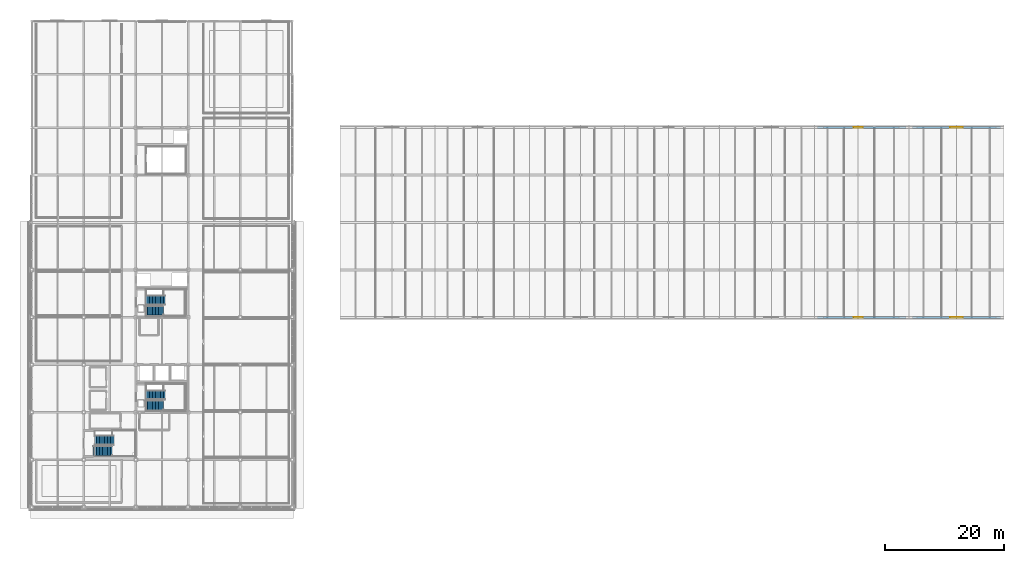
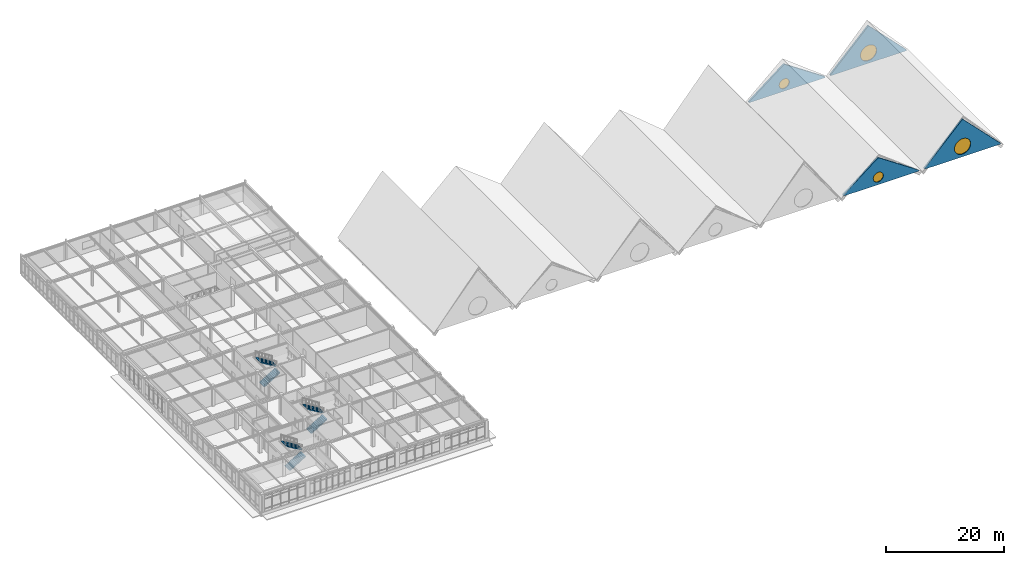
# One storey, part 58 of 64: 6 stair flights, 4 walls, 4 windows, 4 openings, 3 elements without a shape of their own.
"""IFC4 building model written with IfcOpenShell, lengths in metres."""

from ifc_helpers import new_model, si_unit, direction, frame, origin, place, context, subcontext, project, spatial, polyline, outline, extrude, material, layer, layer_set, type_object, element, fill, aggregate, save


model = new_model("IFC4")

# Units and contexts
model_context = context("Model", 3, precision=1e-05, world=origin(), true_north=direction((0.0, 1.0)))
body_context = subcontext(model_context, "Body", "Model", "MODEL_VIEW")
ifc_project = project(units=[si_unit("LENGTHUNIT", "METRE"), si_unit("AREAUNIT", "SQUARE_METRE"), si_unit("VOLUMEUNIT", "CUBIC_METRE"), si_unit("PLANEANGLEUNIT", "RADIAN"), si_unit("MASSUNIT", "GRAM", prefix="KILO")], contexts=[model_context])

# Site, building, storey
site_placement = place(None, origin())
site = spatial("IfcSite", under=ifc_project, at=site_placement, CompositionType="ELEMENT")
building_placement = place(site_placement, origin())
building = spatial("IfcBuilding", under=site, at=building_placement, Name="Zhaolan Boulevard Law Courts", CompositionType="ELEMENT")
storey_placement = place(building_placement, frame((0.0, 0.0, 20.39990234375)))
storey = spatial("IfcBuildingStorey", under=building, at=storey_placement, Name="L04", CompositionType="ELEMENT", Elevation=20.39990234375)

# Wall, opening, window
ifc_material_1 = material(Name="Concrete C40", Category="concrete")
ifc_layer = layer(ifc_material_1, 0.340087890625)
ifc_layer_set = layer_set([ifc_layer])
wall_type = type_object("IfcWallType", Name="EXT WALL GABLE340", PredefinedType="SOLIDWALL", material=ifc_layer_set)
wall_1_placement = place(storey_placement, frame((132.550048828125, 62.0, 0.22021484375), z_axis=(0.0, 0.0, 1.0), x_axis=(1.0, 0.0, 0.0)))
wall_1 = element("IfcWall", 1, at=wall_1_placement, inside=storey, type_object=wall_type, Name="Sculpted Concrete Gable Wall GW-T6S", PredefinedType="SOLIDWALL", context=body_context, shape_type="SweptSolid", body=[
    extrude(outline(polyline([(0.0, 0.0), (14.89990234375, 0.0), (14.89990234375, 0.199951171875), (6.89111328125, 5.599853515625), (0.0, 0.199951171875), (0.0, 0.0)])), frame((0.0, 0.169921875, 0.0), z_axis=(0.0, -1.0, 0.0), x_axis=(1.0, 0.0, 0.0)), (0.0, 0.0, 1.0), 0.340087890625),
])
opening_1_placement = place(wall_1_placement, frame((5.89111328125, 0.0, 0.550048828125)))
opening_1 = element("IfcOpeningElement", 2, at=opening_1_placement, cuts=wall_1, Name="Opening OC-T6S", PredefinedType="OPENING", context=body_context, shape_type="SweptSolid", body=[
    extrude(outline(polyline([(2.0, 1.0), (1.98486328125, 1.173583984375), (1.939697265625, 1.342041015625), (1.865966796875, 1.5), (1.76611328125, 1.642822265625), (1.642822265625, 1.76611328125), (1.5, 1.865966796875), (1.342041015625, 1.939697265625), (1.173583984375, 1.98486328125), (1.0, 2.0), (0.826416015625, 1.98486328125), (0.657958984375, 1.939697265625), (0.5, 1.865966796875), (0.357177734375, 1.76611328125), (0.23388671875, 1.642822265625), (0.134033203125, 1.5), (0.060302734375, 1.342041015625), (0.01513671875, 1.173583984375), (0.0, 1.0), (0.01513671875, 0.826416015625), (0.060302734375, 0.657958984375), (0.134033203125, 0.5), (0.23388671875, 0.357177734375), (0.357177734375, 0.23388671875), (0.5, 0.134033203125), (0.657958984375, 0.060302734375), (0.826416015625, 0.01513671875), (1.0, 0.0), (1.173583984375, 0.01513671875), (1.342041015625, 0.060302734375), (1.5, 0.134033203125), (1.642822265625, 0.23388671875), (1.76611328125, 0.357177734375), (1.865966796875, 0.5), (1.939697265625, 0.657958984375), (1.98486328125, 0.826416015625), (2.0, 1.0)])), frame((0.0, 0.179931640625, 0.0), z_axis=(0.0, -1.0, 0.0), x_axis=(1.0, 0.0, 0.0)), (0.0, 0.0, 1.0), 0.360107421875),
])
ifc_material_2 = material(Name="Thermally broken aluminium and laminated low-E glass", Category="aluminium")
window_type_1 = type_object("IfcWindowType", Name="OCULUS WINDOW D2000", PartitioningType="SINGLE_PANEL", PredefinedType="WINDOW", material=ifc_material_2)
window_1_placement = place(opening_1_placement, origin())
window_1 = element("IfcWindow", 3, at=window_1_placement, inside=storey, type_object=window_type_1, Name="Circular Gable Oculus Window OC-T6S", OverallHeight=2.0, OverallWidth=2.0, PartitioningType="SINGLE_PANEL", PredefinedType="WINDOW", context=body_context, shape_type="SweptSolid", body=[
    extrude(outline(polyline([(2.0, 1.0), (1.98486328125, 1.173583984375), (1.939697265625, 1.342041015625), (1.865966796875, 1.5), (1.76611328125, 1.642822265625), (1.642822265625, 1.76611328125), (1.5, 1.865966796875), (1.342041015625, 1.939697265625), (1.173583984375, 1.98486328125), (1.0, 2.0), (0.826416015625, 1.98486328125), (0.657958984375, 1.939697265625), (0.5, 1.865966796875), (0.357177734375, 1.76611328125), (0.23388671875, 1.642822265625), (0.134033203125, 1.5), (0.060302734375, 1.342041015625), (0.01513671875, 1.173583984375), (0.0, 1.0), (0.01513671875, 0.826416015625), (0.060302734375, 0.657958984375), (0.134033203125, 0.5), (0.23388671875, 0.357177734375), (0.357177734375, 0.23388671875), (0.5, 0.134033203125), (0.657958984375, 0.060302734375), (0.826416015625, 0.01513671875), (1.0, 0.0), (1.173583984375, 0.01513671875), (1.342041015625, 0.060302734375), (1.5, 0.134033203125), (1.642822265625, 0.23388671875), (1.76611328125, 0.357177734375), (1.865966796875, 0.5), (1.939697265625, 0.657958984375), (1.98486328125, 0.826416015625), (2.0, 1.0)])), frame((0.0, 0.0400390625, 0.0), z_axis=(0.0, -1.0, 0.0), x_axis=(1.0, 0.0, 0.0)), (0.0, 0.0, 1.0), 0.080078125),
])
fill(opening_1, window_1)

wall_2_placement = place(storey_placement, frame((147.449951171875, 94.0, 0.22021484375), z_axis=(0.0, 0.0, 1.0), x_axis=(-1.0, 0.0, 0.0)))
wall_2 = element("IfcWall", 4, at=wall_2_placement, inside=storey, type_object=wall_type, Name="Sculpted Concrete Gable Wall GW-T6N", PredefinedType="SOLIDWALL", context=body_context, shape_type="SweptSolid", body=[
    extrude(outline(polyline([(0.0, 0.0), (14.89990234375, 0.0), (14.89990234375, 0.199951171875), (8.009033203125, 5.599853515625), (0.0, 0.199951171875), (0.0, 0.0)])), frame((0.0, 0.169921875, 0.0), z_axis=(0.0, -1.0, 0.0), x_axis=(1.0, 0.0, 0.0)), (0.0, 0.0, 1.0), 0.340087890625),
])
opening_2_placement = place(wall_2_placement, frame((7.009033203125, 0.0, 0.550048828125)))
opening_2 = element("IfcOpeningElement", 5, at=opening_2_placement, cuts=wall_2, Name="Opening OC-T6N", PredefinedType="OPENING", context=body_context, shape_type="SweptSolid", body=[
    extrude(outline(polyline([(2.0, 1.0), (1.98486328125, 1.173583984375), (1.939697265625, 1.342041015625), (1.865966796875, 1.5), (1.76611328125, 1.642822265625), (1.642822265625, 1.76611328125), (1.5, 1.865966796875), (1.342041015625, 1.939697265625), (1.173583984375, 1.98486328125), (1.0, 2.0), (0.826416015625, 1.98486328125), (0.657958984375, 1.939697265625), (0.5, 1.865966796875), (0.357177734375, 1.76611328125), (0.23388671875, 1.642822265625), (0.134033203125, 1.5), (0.060302734375, 1.342041015625), (0.01513671875, 1.173583984375), (0.0, 1.0), (0.01513671875, 0.826416015625), (0.060302734375, 0.657958984375), (0.134033203125, 0.5), (0.23388671875, 0.357177734375), (0.357177734375, 0.23388671875), (0.5, 0.134033203125), (0.657958984375, 0.060302734375), (0.826416015625, 0.01513671875), (1.0, 0.0), (1.173583984375, 0.01513671875), (1.342041015625, 0.060302734375), (1.5, 0.134033203125), (1.642822265625, 0.23388671875), (1.76611328125, 0.357177734375), (1.865966796875, 0.5), (1.939697265625, 0.657958984375), (1.98486328125, 0.826416015625), (2.0, 1.0)])), frame((0.0, 0.179931640625, 0.0), z_axis=(0.0, -1.0, 0.0), x_axis=(1.0, 0.0, 0.0)), (0.0, 0.0, 1.0), 0.360107421875),
])
window_2_placement = place(opening_2_placement, origin())
window_2 = element("IfcWindow", 6, at=window_2_placement, inside=storey, type_object=window_type_1, Name="Circular Gable Oculus Window OC-T6N", OverallHeight=2.0, OverallWidth=2.0, PartitioningType="SINGLE_PANEL", PredefinedType="WINDOW", context=body_context, shape_type="SweptSolid", body=[
    extrude(outline(polyline([(2.0, 1.0), (1.98486328125, 1.173583984375), (1.939697265625, 1.342041015625), (1.865966796875, 1.5), (1.76611328125, 1.642822265625), (1.642822265625, 1.76611328125), (1.5, 1.865966796875), (1.342041015625, 1.939697265625), (1.173583984375, 1.98486328125), (1.0, 2.0), (0.826416015625, 1.98486328125), (0.657958984375, 1.939697265625), (0.5, 1.865966796875), (0.357177734375, 1.76611328125), (0.23388671875, 1.642822265625), (0.134033203125, 1.5), (0.060302734375, 1.342041015625), (0.01513671875, 1.173583984375), (0.0, 1.0), (0.01513671875, 0.826416015625), (0.060302734375, 0.657958984375), (0.134033203125, 0.5), (0.23388671875, 0.357177734375), (0.357177734375, 0.23388671875), (0.5, 0.134033203125), (0.657958984375, 0.060302734375), (0.826416015625, 0.01513671875), (1.0, 0.0), (1.173583984375, 0.01513671875), (1.342041015625, 0.060302734375), (1.5, 0.134033203125), (1.642822265625, 0.23388671875), (1.76611328125, 0.357177734375), (1.865966796875, 0.5), (1.939697265625, 0.657958984375), (1.98486328125, 0.826416015625), (2.0, 1.0)])), frame((0.0, 0.0400390625, 0.0), z_axis=(0.0, -1.0, 0.0), x_axis=(1.0, 0.0, 0.0)), (0.0, 0.0, 1.0), 0.080078125),
])
fill(opening_2, window_2)

wall_3_placement = place(storey_placement, frame((148.550048828125, 62.0, 0.22021484375), z_axis=(0.0, 0.0, 1.0), x_axis=(1.0, 0.0, 0.0)))
wall_3 = element("IfcWall", 7, at=wall_3_placement, inside=storey, type_object=wall_type, Name="Sculpted Concrete Gable Wall GW-T7S", PredefinedType="SOLIDWALL", context=body_context, shape_type="SweptSolid", body=[
    extrude(outline(polyline([(0.0, 0.0), (14.89990234375, 0.0), (14.89990234375, 0.199951171875), (7.449951171875, 7.7998046875), (0.0, 0.199951171875), (0.0, 0.0)])), frame((0.0, 0.169921875, 0.0), z_axis=(0.0, -1.0, 0.0), x_axis=(1.0, 0.0, 0.0)), (0.0, 0.0, 1.0), 0.340087890625),
])
opening_3_placement = place(wall_3_placement, frame((5.85009765625, 0.0, 0.550048828125)))
opening_3 = element("IfcOpeningElement", 8, at=opening_3_placement, cuts=wall_3, Name="Opening OC-T7S", PredefinedType="OPENING", context=body_context, shape_type="SweptSolid", body=[
    extrude(outline(polyline([(3.199951171875, 1.60009765625), (3.17578125, 1.8779296875), (3.103515625, 2.147216796875), (2.985595703125, 2.39990234375), (2.82568359375, 2.62841796875), (2.62841796875, 2.82568359375), (2.39990234375, 2.985595703125), (2.147216796875, 3.103515625), (1.8779296875, 3.17578125), (1.60009765625, 3.199951171875), (1.322265625, 3.17578125), (1.052734375, 3.103515625), (0.800048828125, 2.985595703125), (0.571533203125, 2.82568359375), (0.374267578125, 2.62841796875), (0.21435546875, 2.39990234375), (0.096435546875, 2.147216796875), (0.0244140625, 1.8779296875), (0.0, 1.60009765625), (0.0244140625, 1.322265625), (0.096435546875, 1.052734375), (0.21435546875, 0.800048828125), (0.374267578125, 0.571533203125), (0.571533203125, 0.374267578125), (0.800048828125, 0.21435546875), (1.052734375, 0.096435546875), (1.322265625, 0.0244140625), (1.60009765625, 0.0), (1.8779296875, 0.0244140625), (2.147216796875, 0.096435546875), (2.39990234375, 0.21435546875), (2.62841796875, 0.374267578125), (2.82568359375, 0.571533203125), (2.985595703125, 0.800048828125), (3.103515625, 1.052734375), (3.17578125, 1.322265625), (3.199951171875, 1.60009765625)])), frame((0.0, 0.179931640625, 0.0), z_axis=(0.0, -1.0, 0.0), x_axis=(1.0, 0.0, 0.0)), (0.0, 0.0, 1.0), 0.360107421875),
])
ifc_material_3 = material(Name="Thermally broken aluminium and laminated low-E glass", Category="aluminium")
window_type_2 = type_object("IfcWindowType", Name="OCULUS WINDOW D3200", PartitioningType="SINGLE_PANEL", PredefinedType="WINDOW", material=ifc_material_3)
window_3_placement = place(opening_3_placement, origin())
window_3 = element("IfcWindow", 9, at=window_3_placement, inside=storey, type_object=window_type_2, Name="Circular Gable Oculus Window OC-T7S", OverallHeight=3.199951171875, OverallWidth=3.199951171875, PartitioningType="SINGLE_PANEL", PredefinedType="WINDOW", context=body_context, shape_type="SweptSolid", body=[
    extrude(outline(polyline([(3.199951171875, 1.60009765625), (3.17578125, 1.8779296875), (3.103515625, 2.147216796875), (2.985595703125, 2.39990234375), (2.82568359375, 2.62841796875), (2.62841796875, 2.82568359375), (2.39990234375, 2.985595703125), (2.147216796875, 3.103515625), (1.8779296875, 3.17578125), (1.60009765625, 3.199951171875), (1.322265625, 3.17578125), (1.052734375, 3.103515625), (0.800048828125, 2.985595703125), (0.571533203125, 2.82568359375), (0.374267578125, 2.62841796875), (0.21435546875, 2.39990234375), (0.096435546875, 2.147216796875), (0.0244140625, 1.8779296875), (0.0, 1.60009765625), (0.0244140625, 1.322265625), (0.096435546875, 1.052734375), (0.21435546875, 0.800048828125), (0.374267578125, 0.571533203125), (0.571533203125, 0.374267578125), (0.800048828125, 0.21435546875), (1.052734375, 0.096435546875), (1.322265625, 0.0244140625), (1.60009765625, 0.0), (1.8779296875, 0.0244140625), (2.147216796875, 0.096435546875), (2.39990234375, 0.21435546875), (2.62841796875, 0.374267578125), (2.82568359375, 0.571533203125), (2.985595703125, 0.800048828125), (3.103515625, 1.052734375), (3.17578125, 1.322265625), (3.199951171875, 1.60009765625)])), frame((0.0, 0.0400390625, 0.0), z_axis=(0.0, -1.0, 0.0), x_axis=(1.0, 0.0, 0.0)), (0.0, 0.0, 1.0), 0.080078125),
])
fill(opening_3, window_3)

wall_4_placement = place(storey_placement, frame((163.449951171875, 94.0, 0.22021484375), z_axis=(0.0, 0.0, 1.0), x_axis=(-1.0, 0.0, 0.0)))
wall_4 = element("IfcWall", 10, at=wall_4_placement, inside=storey, type_object=wall_type, Name="Sculpted Concrete Gable Wall GW-T7N", PredefinedType="SOLIDWALL", context=body_context, shape_type="SweptSolid", body=[
    extrude(outline(polyline([(0.0, 0.0), (14.89990234375, 0.0), (14.89990234375, 0.199951171875), (7.449951171875, 7.7998046875), (0.0, 0.199951171875), (0.0, 0.0)])), frame((0.0, 0.169921875, 0.0), z_axis=(0.0, -1.0, 0.0), x_axis=(1.0, 0.0, 0.0)), (0.0, 0.0, 1.0), 0.340087890625),
])
opening_4_placement = place(wall_4_placement, frame((5.85009765625, 0.0, 0.550048828125)))
opening_4 = element("IfcOpeningElement", 11, at=opening_4_placement, cuts=wall_4, Name="Opening OC-T7N", PredefinedType="OPENING", context=body_context, shape_type="SweptSolid", body=[
    extrude(outline(polyline([(3.199951171875, 1.60009765625), (3.17578125, 1.8779296875), (3.103515625, 2.147216796875), (2.985595703125, 2.39990234375), (2.82568359375, 2.62841796875), (2.62841796875, 2.82568359375), (2.39990234375, 2.985595703125), (2.147216796875, 3.103515625), (1.8779296875, 3.17578125), (1.60009765625, 3.199951171875), (1.322265625, 3.17578125), (1.052734375, 3.103515625), (0.800048828125, 2.985595703125), (0.571533203125, 2.82568359375), (0.374267578125, 2.62841796875), (0.21435546875, 2.39990234375), (0.096435546875, 2.147216796875), (0.0244140625, 1.8779296875), (0.0, 1.60009765625), (0.0244140625, 1.322265625), (0.096435546875, 1.052734375), (0.21435546875, 0.800048828125), (0.374267578125, 0.571533203125), (0.571533203125, 0.374267578125), (0.800048828125, 0.21435546875), (1.052734375, 0.096435546875), (1.322265625, 0.0244140625), (1.60009765625, 0.0), (1.8779296875, 0.0244140625), (2.147216796875, 0.096435546875), (2.39990234375, 0.21435546875), (2.62841796875, 0.374267578125), (2.82568359375, 0.571533203125), (2.985595703125, 0.800048828125), (3.103515625, 1.052734375), (3.17578125, 1.322265625), (3.199951171875, 1.60009765625)])), frame((0.0, 0.179931640625, 0.0), z_axis=(0.0, -1.0, 0.0), x_axis=(1.0, 0.0, 0.0)), (0.0, 0.0, 1.0), 0.360107421875),
])
window_4_placement = place(opening_4_placement, origin())
window_4 = element("IfcWindow", 12, at=window_4_placement, inside=storey, type_object=window_type_2, Name="Circular Gable Oculus Window OC-T7N", OverallHeight=3.199951171875, OverallWidth=3.199951171875, PartitioningType="SINGLE_PANEL", PredefinedType="WINDOW", context=body_context, shape_type="SweptSolid", body=[
    extrude(outline(polyline([(3.199951171875, 1.60009765625), (3.17578125, 1.8779296875), (3.103515625, 2.147216796875), (2.985595703125, 2.39990234375), (2.82568359375, 2.62841796875), (2.62841796875, 2.82568359375), (2.39990234375, 2.985595703125), (2.147216796875, 3.103515625), (1.8779296875, 3.17578125), (1.60009765625, 3.199951171875), (1.322265625, 3.17578125), (1.052734375, 3.103515625), (0.800048828125, 2.985595703125), (0.571533203125, 2.82568359375), (0.374267578125, 2.62841796875), (0.21435546875, 2.39990234375), (0.096435546875, 2.147216796875), (0.0244140625, 1.8779296875), (0.0, 1.60009765625), (0.0244140625, 1.322265625), (0.096435546875, 1.052734375), (0.21435546875, 0.800048828125), (0.374267578125, 0.571533203125), (0.571533203125, 0.374267578125), (0.800048828125, 0.21435546875), (1.052734375, 0.096435546875), (1.322265625, 0.0244140625), (1.60009765625, 0.0), (1.8779296875, 0.0244140625), (2.147216796875, 0.096435546875), (2.39990234375, 0.21435546875), (2.62841796875, 0.374267578125), (2.82568359375, 0.571533203125), (2.985595703125, 0.800048828125), (3.103515625, 1.052734375), (3.17578125, 1.322265625), (3.199951171875, 1.60009765625)])), frame((0.0, 0.0400390625, 0.0), z_axis=(0.0, -1.0, 0.0), x_axis=(1.0, 0.0, 0.0)), (0.0, 0.0, 1.0), 0.080078125),
])
fill(opening_4, window_4)

# Stair, stair flights
ifc_material_4 = material(Name="Concrete C40", Category="concrete")
stair_type_1 = type_object("IfcStairType", Name="HALF TURN STAIR 42 A", PredefinedType="HALF_TURN_STAIR", material=ifc_material_4)
stair_1_placement = place(storey_placement, origin())
stair_1 = element("IfcStair", 13, at=stair_1_placement, inside=storey, type_object=stair_type_1, Name="Stair ST03-L04", PredefinedType="HALF_TURN_STAIR")
ifc_material_5 = material(Name="Concrete C40", Category="concrete")
stair_flight_type_1 = type_object("IfcStairFlightType", Name="STAIR FLIGHT 42 A", PredefinedType="STRAIGHT", material=ifc_material_5)
stair_flight_1_placement = place(storey_placement, frame((10.39990234375, 39.5048828125, 0.0), z_axis=(0.0, 0.0, 1.0), x_axis=(1.0, 0.0, 0.0)))
stair_flight_1 = element("IfcStairFlight", 14, at=stair_flight_1_placement, type_object=stair_flight_type_1, Name="Stair Flight ST03-L04-F1", NumberOfRisers=13, NumberOfTreads=12, PredefinedType="STRAIGHT", RiserHeight=0.161538462, TreadLength=0.265, context=body_context, shape_type="SweptSolid", body=[
    extrude(outline(polyline([(0.0, 0.0), (0.0, 0.16162109375), (0.264892578125, 0.16162109375), (0.264892578125, 0.322998046875), (0.530029296875, 0.322998046875), (0.530029296875, 0.484619140625), (0.794921875, 0.484619140625), (0.794921875, 0.646240234375), (1.06005859375, 0.646240234375), (1.06005859375, 0.8076171875), (1.324951171875, 0.8076171875), (1.324951171875, 0.96923828125), (1.590087890625, 0.96923828125), (1.590087890625, 1.130859375), (1.85498046875, 1.130859375), (1.85498046875, 1.292236328125), (2.1201171875, 1.292236328125), (2.1201171875, 1.453857421875), (2.385009765625, 1.453857421875), (2.385009765625, 1.615478515625), (2.64990234375, 1.615478515625), (2.64990234375, 1.77685546875), (2.9150390625, 1.77685546875), (2.9150390625, 1.9384765625), (3.179931640625, 1.9384765625), (3.179931640625, 2.10009765625), (3.179931640625, 1.751220703125), (0.30712890625, 0.0), (0.0, 0.0)])), frame((0.0, 0.824951171875, 0.0), z_axis=(0.0, -1.0, 0.0), x_axis=(1.0, 0.0, 0.0)), (0.0, 0.0, 1.0), 1.64990234375),
])
stair_flight_2_placement = place(storey_placement, frame((13.864990234375, 41.2548828125, 2.10009765625), z_axis=(0.0, 0.0, 1.0), x_axis=(-1.0, 0.0, 0.0)))
stair_flight_2 = element("IfcStairFlight", 15, at=stair_flight_2_placement, type_object=stair_flight_type_1, Name="Stair Flight ST03-L04-F2", NumberOfRisers=13, NumberOfTreads=12, PredefinedType="STRAIGHT", RiserHeight=0.161538462, TreadLength=0.265, context=body_context, shape_type="SweptSolid", body=[
    extrude(outline(polyline([(0.0, 0.0), (0.0, 0.16162109375), (0.264892578125, 0.16162109375), (0.264892578125, 0.322998046875), (0.530029296875, 0.322998046875), (0.530029296875, 0.484619140625), (0.794921875, 0.484619140625), (0.794921875, 0.646240234375), (1.06005859375, 0.646240234375), (1.06005859375, 0.8076171875), (1.324951171875, 0.8076171875), (1.324951171875, 0.96923828125), (1.590087890625, 0.96923828125), (1.590087890625, 1.130859375), (1.85498046875, 1.130859375), (1.85498046875, 1.292236328125), (2.1201171875, 1.292236328125), (2.1201171875, 1.453857421875), (2.385009765625, 1.453857421875), (2.385009765625, 1.615478515625), (2.64990234375, 1.615478515625), (2.64990234375, 1.77685546875), (2.9150390625, 1.77685546875), (2.9150390625, 1.9384765625), (3.179931640625, 1.9384765625), (3.179931640625, 2.10009765625), (3.179931640625, 1.751220703125), (0.30712890625, 0.0), (0.0, 0.0)])), frame((0.0, 0.824951171875, 0.0), z_axis=(0.0, -1.0, 0.0), x_axis=(1.0, 0.0, 0.0)), (0.0, 0.0, 1.0), 1.64990234375),
])
aggregate(stair_1, [stair_flight_1, stair_flight_2])

ifc_material_6 = material(Name="Concrete C40", Category="concrete")
stair_type_2 = type_object("IfcStairType", Name="HALF TURN STAIR 42 B", PredefinedType="HALF_TURN_STAIR", material=ifc_material_6)
stair_2_placement = place(storey_placement, origin())
stair_2 = element("IfcStair", 16, at=stair_2_placement, inside=storey, type_object=stair_type_2, Name="Stair ST01-L04", PredefinedType="HALF_TURN_STAIR")
ifc_material_7 = material(Name="Concrete C40", Category="concrete")
stair_flight_type_2 = type_object("IfcStairFlightType", Name="STAIR FLIGHT 42 B", PredefinedType="STRAIGHT", material=ifc_material_7)
stair_flight_3_placement = place(storey_placement, frame((19.050048828125, 47.179931640625, 0.0), z_axis=(0.0, 0.0, 1.0), x_axis=(1.0, 0.0, 0.0)))
stair_flight_3 = element("IfcStairFlight", 17, at=stair_flight_3_placement, type_object=stair_flight_type_2, Name="Stair Flight ST01-L04-F1", NumberOfRisers=13, NumberOfTreads=12, PredefinedType="STRAIGHT", RiserHeight=0.161538462, TreadLength=0.265, context=body_context, shape_type="SweptSolid", body=[
    extrude(outline(polyline([(0.0, 0.0), (0.0, 0.16162109375), (0.264892578125, 0.16162109375), (0.264892578125, 0.322998046875), (0.530029296875, 0.322998046875), (0.530029296875, 0.484619140625), (0.794921875, 0.484619140625), (0.794921875, 0.646240234375), (1.06005859375, 0.646240234375), (1.06005859375, 0.8076171875), (1.324951171875, 0.8076171875), (1.324951171875, 0.96923828125), (1.590087890625, 0.96923828125), (1.590087890625, 1.130859375), (1.85498046875, 1.130859375), (1.85498046875, 1.292236328125), (2.1201171875, 1.292236328125), (2.1201171875, 1.453857421875), (2.385009765625, 1.453857421875), (2.385009765625, 1.615478515625), (2.64990234375, 1.615478515625), (2.64990234375, 1.77685546875), (2.9150390625, 1.77685546875), (2.9150390625, 1.9384765625), (3.179931640625, 1.9384765625), (3.179931640625, 2.10009765625), (3.179931640625, 1.751220703125), (0.30712890625, 0.0), (0.0, 0.0)])), frame((0.0, 0.800048828125, 0.0), z_axis=(0.0, -1.0, 0.0), x_axis=(1.0, 0.0, 0.0)), (0.0, 0.0, 1.0), 1.60009765625),
])
stair_flight_4_placement = place(storey_placement, frame((22.514892578125, 48.8798828125, 2.10009765625), z_axis=(0.0, 0.0, 1.0), x_axis=(-1.0, 0.0, 0.0)))
stair_flight_4 = element("IfcStairFlight", 18, at=stair_flight_4_placement, type_object=stair_flight_type_2, Name="Stair Flight ST01-L04-F2", NumberOfRisers=13, NumberOfTreads=12, PredefinedType="STRAIGHT", RiserHeight=0.161538462, TreadLength=0.265, context=body_context, shape_type="SweptSolid", body=[
    extrude(outline(polyline([(0.0, 0.0), (0.0, 0.16162109375), (0.264892578125, 0.16162109375), (0.264892578125, 0.322998046875), (0.530029296875, 0.322998046875), (0.530029296875, 0.484619140625), (0.794921875, 0.484619140625), (0.794921875, 0.646240234375), (1.06005859375, 0.646240234375), (1.06005859375, 0.8076171875), (1.324951171875, 0.8076171875), (1.324951171875, 0.96923828125), (1.590087890625, 0.96923828125), (1.590087890625, 1.130859375), (1.85498046875, 1.130859375), (1.85498046875, 1.292236328125), (2.1201171875, 1.292236328125), (2.1201171875, 1.453857421875), (2.385009765625, 1.453857421875), (2.385009765625, 1.615478515625), (2.64990234375, 1.615478515625), (2.64990234375, 1.77685546875), (2.9150390625, 1.77685546875), (2.9150390625, 1.9384765625), (3.179931640625, 1.9384765625), (3.179931640625, 2.10009765625), (3.179931640625, 1.751220703125), (0.30712890625, 0.0), (0.0, 0.0)])), frame((0.0, 0.800048828125, 0.0), z_axis=(0.0, -1.0, 0.0), x_axis=(1.0, 0.0, 0.0)), (0.0, 0.0, 1.0), 1.60009765625),
])
aggregate(stair_2, [stair_flight_3, stair_flight_4])

stair_3_placement = place(storey_placement, origin())
stair_3 = element("IfcStair", 19, at=stair_3_placement, inside=storey, type_object=stair_type_2, Name="Stair ST02-L04", PredefinedType="HALF_TURN_STAIR")
stair_flight_5_placement = place(storey_placement, frame((19.050048828125, 63.179931640625, 0.0), z_axis=(0.0, 0.0, 1.0), x_axis=(1.0, 0.0, 0.0)))
stair_flight_5 = element("IfcStairFlight", 20, at=stair_flight_5_placement, type_object=stair_flight_type_2, Name="Stair Flight ST02-L04-F1", NumberOfRisers=13, NumberOfTreads=12, PredefinedType="STRAIGHT", RiserHeight=0.161538462, TreadLength=0.265, context=body_context, shape_type="SweptSolid", body=[
    extrude(outline(polyline([(0.0, 0.0), (0.0, 0.16162109375), (0.264892578125, 0.16162109375), (0.264892578125, 0.322998046875), (0.530029296875, 0.322998046875), (0.530029296875, 0.484619140625), (0.794921875, 0.484619140625), (0.794921875, 0.646240234375), (1.06005859375, 0.646240234375), (1.06005859375, 0.8076171875), (1.324951171875, 0.8076171875), (1.324951171875, 0.96923828125), (1.590087890625, 0.96923828125), (1.590087890625, 1.130859375), (1.85498046875, 1.130859375), (1.85498046875, 1.292236328125), (2.1201171875, 1.292236328125), (2.1201171875, 1.453857421875), (2.385009765625, 1.453857421875), (2.385009765625, 1.615478515625), (2.64990234375, 1.615478515625), (2.64990234375, 1.77685546875), (2.9150390625, 1.77685546875), (2.9150390625, 1.9384765625), (3.179931640625, 1.9384765625), (3.179931640625, 2.10009765625), (3.179931640625, 1.751220703125), (0.30712890625, 0.0), (0.0, 0.0)])), frame((0.0, 0.800048828125, 0.0), z_axis=(0.0, -1.0, 0.0), x_axis=(1.0, 0.0, 0.0)), (0.0, 0.0, 1.0), 1.60009765625),
])
stair_flight_6_placement = place(storey_placement, frame((22.514892578125, 64.8798828125, 2.10009765625), z_axis=(0.0, 0.0, 1.0), x_axis=(-1.0, 0.0, 0.0)))
stair_flight_6 = element("IfcStairFlight", 21, at=stair_flight_6_placement, type_object=stair_flight_type_2, Name="Stair Flight ST02-L04-F2", NumberOfRisers=13, NumberOfTreads=12, PredefinedType="STRAIGHT", RiserHeight=0.161538462, TreadLength=0.265, context=body_context, shape_type="SweptSolid", body=[
    extrude(outline(polyline([(0.0, 0.0), (0.0, 0.16162109375), (0.264892578125, 0.16162109375), (0.264892578125, 0.322998046875), (0.530029296875, 0.322998046875), (0.530029296875, 0.484619140625), (0.794921875, 0.484619140625), (0.794921875, 0.646240234375), (1.06005859375, 0.646240234375), (1.06005859375, 0.8076171875), (1.324951171875, 0.8076171875), (1.324951171875, 0.96923828125), (1.590087890625, 0.96923828125), (1.590087890625, 1.130859375), (1.85498046875, 1.130859375), (1.85498046875, 1.292236328125), (2.1201171875, 1.292236328125), (2.1201171875, 1.453857421875), (2.385009765625, 1.453857421875), (2.385009765625, 1.615478515625), (2.64990234375, 1.615478515625), (2.64990234375, 1.77685546875), (2.9150390625, 1.77685546875), (2.9150390625, 1.9384765625), (3.179931640625, 1.9384765625), (3.179931640625, 2.10009765625), (3.179931640625, 1.751220703125), (0.30712890625, 0.0), (0.0, 0.0)])), frame((0.0, 0.800048828125, 0.0), z_axis=(0.0, -1.0, 0.0), x_axis=(1.0, 0.0, 0.0)), (0.0, 0.0, 1.0), 1.60009765625),
])
aggregate(stair_3, [stair_flight_5, stair_flight_6])

save(model, "model.ifc")
